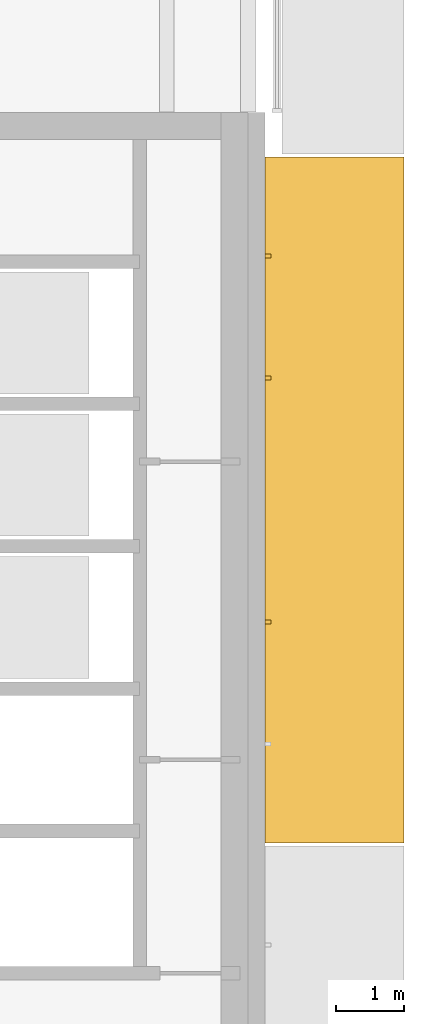
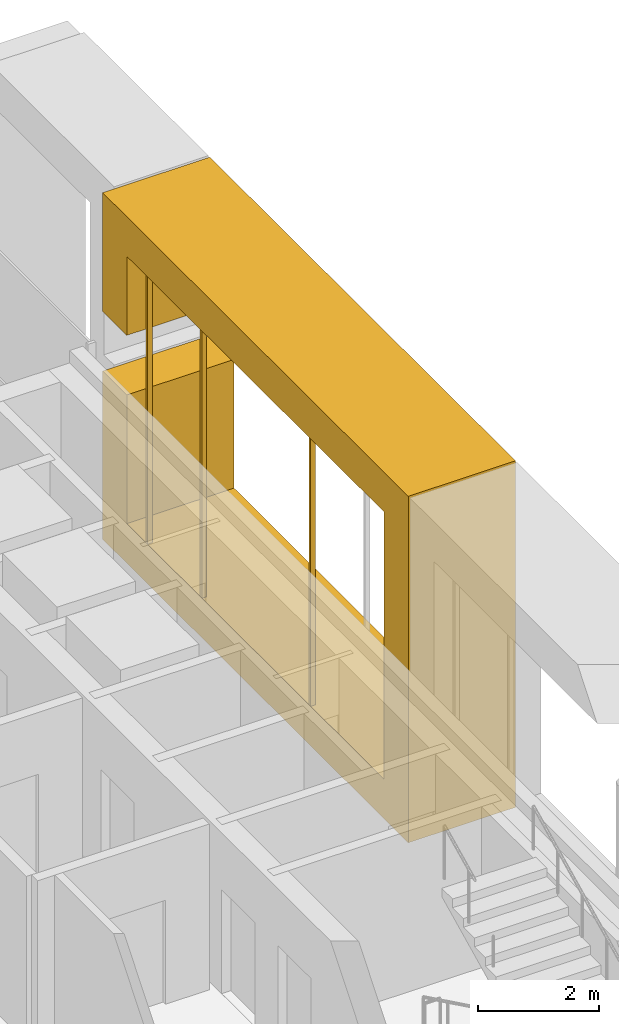
# One storey, part 17 of 19: 4 coverings.
"""IFC4 building model written with IfcOpenShell, lengths in metres."""

from ifc_helpers import new_model, si_unit, direction, frame, origin, origin_2d, place, context, subcontext, project, spatial, polyline, rectangle, outline, extrude, material, type_object, element, save


model = new_model("IFC4")

# Units and contexts
model_context = context("Model", 3, precision=1e-05, world=origin(), true_north=direction((0.0, 1.0)))
body_context = subcontext(model_context, "Body", "Model", "MODEL_VIEW")
ifc_project = project(units=[si_unit("LENGTHUNIT", "METRE"), si_unit("AREAUNIT", "SQUARE_METRE"), si_unit("VOLUMEUNIT", "CUBIC_METRE"), si_unit("PLANEANGLEUNIT", "RADIAN"), si_unit("MASSUNIT", "GRAM", prefix="KILO")], contexts=[model_context])

# Site, building, storey
site_placement = place(None, origin())
site = spatial("IfcSite", under=ifc_project, at=site_placement, CompositionType="ELEMENT")
building_placement = place(site_placement, origin())
building = spatial("IfcBuilding", under=site, at=building_placement, Name="Cobrizo Arcos Hotel Tower", CompositionType="ELEMENT")
storey_placement = place(building_placement, frame((0.0, 0.0, 205.0)))
storey = spatial("IfcBuildingStorey", under=building, at=storey_placement, Name="L53", CompositionType="ELEMENT", Elevation=205.0)

# Coverings
ifc_material_1 = material(Name="Aluminium 6063-T6 anodised bronze", Category="aluminium")
covering_type_1 = type_object("IfcCoveringType", Name="FIN-F 2050", PredefinedType="CLADDING", material=ifc_material_1)
covering_placement = place(storey_placement, frame((20.64990234375, 0.02490234375, 0.0), z_axis=(1.0, 0.0, 0.0), x_axis=(0.0, 1.0, 0.0)))
element("IfcCovering", 1, at=covering_placement, inside=storey, type_object=covering_type_1, Name="Fin frame 315", PredefinedType="CLADDING", context=body_context, shape_type="SweptSolid", body=[
    extrude(outline(polyline([(10.11669921875, 0.0), (10.11669921875, 3.39794921875), (9.316650390625, 3.39794921875), (9.316650390625, 0.800048828125), (0.800048828125, 0.800048828125), (0.800048828125, 6.199951171875), (9.316650390625, 6.199951171875), (9.316650390625, 4.60205078125), (10.11669921875, 4.60205078125), (10.11669921875, 7.0), (0.0, 7.0), (0.0, 0.0), (10.11669921875, 0.0)])), origin(), (0.0, 0.0, 1.0), 2.050048828125),
])
ifc_material_2 = material(Name="Aluminium 6063-T6 anodised pale", Category="aluminium")
covering_type_2 = type_object("IfcCoveringType", Name="RS-1 rainscreen rib 60x90", PredefinedType="CLADDING", material=ifc_material_2)
for number, where, z_axis, x_axis, name in (
    (2, (20.695068359375, 3.283447265625, 0.800048828125), (0.0, 0.0, 1.0), (0.0, 1.0, 0.0), "Rainscreen rib 206"),
    (3, (20.695068359375, 6.88330078125, 0.800048828125), (0.0, 0.0, 1.0), (0.0, 1.0, 0.0), "Rainscreen rib 207"),
    (4, (20.695068359375, 8.683349609375, 0.800048828125), (0.0, 0.0, 1.0), (0.0, 1.0, 0.0), "Rainscreen rib 208"),
):
    element("IfcCovering", number, at=place(storey_placement, frame(where, z_axis=z_axis, x_axis=x_axis)), inside=storey, type_object=covering_type_2, Name=name, PredefinedType="CLADDING", context=body_context, shape_type="SweptSolid", body=[
        extrude(rectangle(XDim=0.06005859375, YDim=0.090087890625, at=origin_2d()), origin(), (0.0, 0.0, 1.0), 5.39990234375),
    ])

save(model, "model.ifc")
